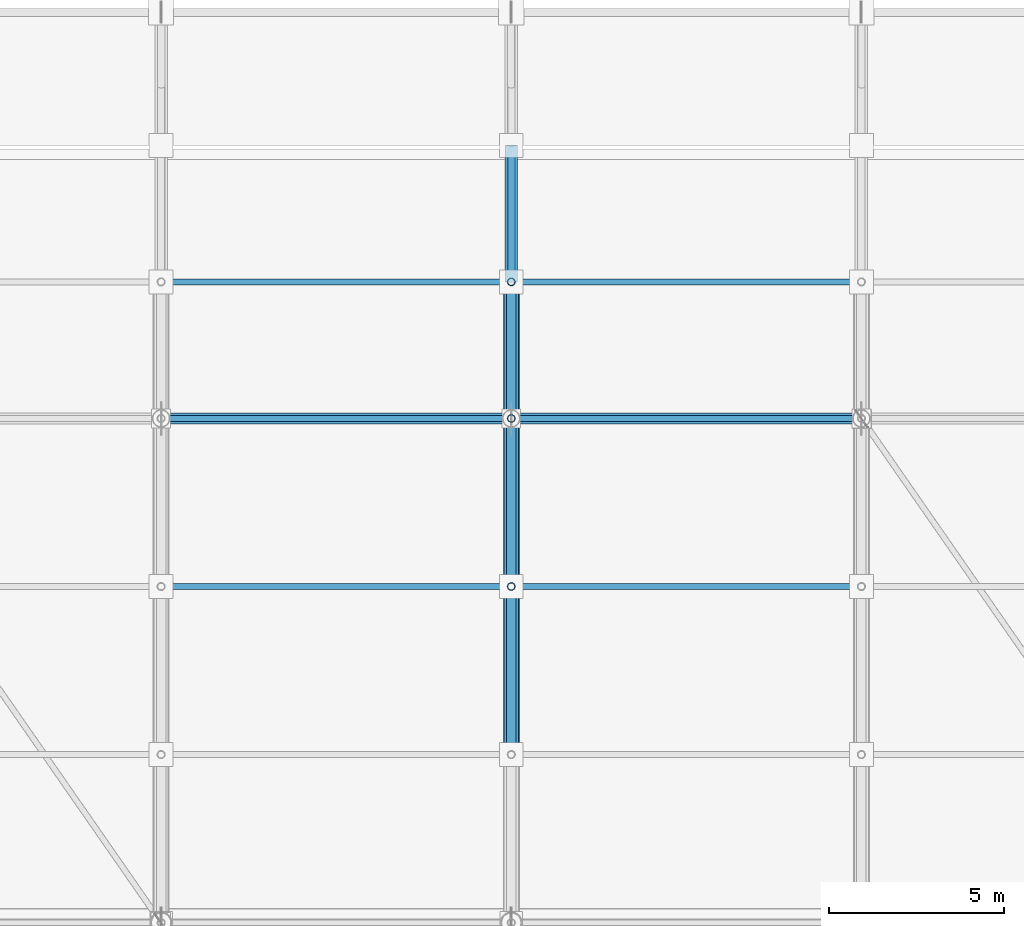
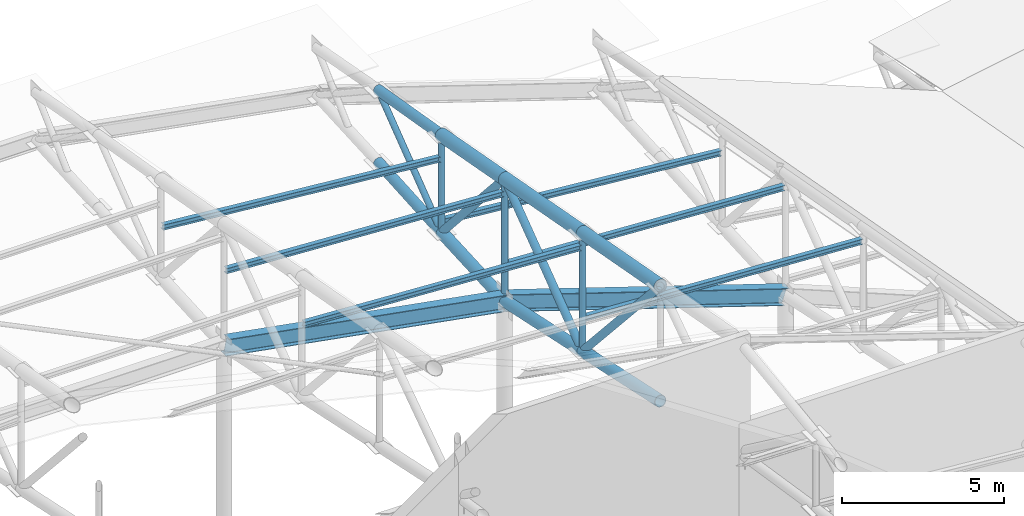
# One storey, part 35 of 146: 21 members, 2 beams.
"""IFC4 building model written with IfcOpenShell, lengths in metres."""

import ifcopenshell
import ifcopenshell.guid

model = None  # the IFC model being written
_history = None  # IfcOwnerHistory: only IFC2X3 demands one
_inside = {}  # id of a spatial element -> (the spatial element, [elements in it])
_under = {}  # id of a project, library or spatial element -> (it, [spatial elements below it])
_declared = {}  # id of a project -> (the project, [libraries it declares])
_typed = {}  # id of a type object -> (the type object, [elements of that type])
_made_of = {}  # id of a material, layer set ... -> (it, [elements and type objects made of it])


def new_model(schema):
    """Start an empty IFC model of exactly this schema.

    Asked for "IFC4X3", IfcOpenShell would pick the latest addendum, in which some entities
    have other attributes; the version numbers below select the first issue.
    IFC2X3 requires an IfcOwnerHistory on every rooted entity: one is made here for all.
    """
    global model, _history
    if schema == "IFC4X3":
        model = ifcopenshell.file(schema_version=(4, 3, 0, 0))
    else:
        model = ifcopenshell.file(schema=schema)
    _inside.clear()
    _under.clear()
    _declared.clear()
    _typed.clear()
    _made_of.clear()
    _history = None
    if model.schema == "IFC2X3":
        org = make("IfcOrganization", Name="unknown")
        user = make(
            "IfcPersonAndOrganization",
            ThePerson=make("IfcPerson", FamilyName="unknown"),
            TheOrganization=org,
        )
        app = make(
            "IfcApplication",
            ApplicationDeveloper=org,
            Version="unknown",
            ApplicationFullName="unknown",
            ApplicationIdentifier="unknown",
        )
        _history = make(
            "IfcOwnerHistory",
            OwningUser=user,
            OwningApplication=app,
            ChangeAction="ADDED",
            CreationDate=0,
        )
    return model


def make(cls, **values):
    """One entity of the class cls with the attributes given. An attribute that is None is left unset."""
    return model.create_entity(
        cls, **{name: value for name, value in values.items() if value is not None}
    )


def rooted(cls, **values):
    """An entity with a GlobalId (a new one), such as an element, a storey or a relation."""
    return make(cls, GlobalId=ifcopenshell.guid.new(), OwnerHistory=_history, **values)


def si_unit(unit_type, name, prefix=None):
    """IfcSIUnit, for example si_unit("LENGTHUNIT", "METRE", prefix="MILLI")."""
    return make("IfcSIUnit", UnitType=unit_type, Prefix=prefix, Name=name)


def assignment(units):
    """IfcUnitAssignment: the units of a project."""
    return None if units is None else make("IfcUnitAssignment", Units=units)


def point(xyz):
    """IfcCartesianPoint."""
    return None if xyz is None else make("IfcCartesianPoint", Coordinates=xyz)


def direction(xyz):
    """IfcDirection."""
    return None if xyz is None else make("IfcDirection", DirectionRatios=xyz)


def frame(location, z_axis=None, x_axis=None):
    """IfcAxis2Placement3D, a coordinate frame: its origin and axes. An axis left out is left unset."""
    return make(
        "IfcAxis2Placement3D",
        Location=point(location),
        Axis=direction(z_axis),
        RefDirection=direction(x_axis),
    )


def frame_2d(location, x_axis=None):
    """IfcAxis2Placement2D, a coordinate frame in the plane: its origin and x axis."""
    return make(
        "IfcAxis2Placement2D", Location=point(location), RefDirection=direction(x_axis)
    )


def origin():
    """The frame at (0, 0, 0) with its axes left unset."""
    return frame((0.0, 0.0, 0.0))


def origin_2d():
    """The frame at (0, 0) in the plane with its x axis left unset."""
    return frame_2d((0.0, 0.0))


def place(relative_to, where):
    """IfcLocalPlacement: puts the frame where relative to a parent placement (None: the world)."""
    return make(
        "IfcLocalPlacement", PlacementRelTo=relative_to, RelativePlacement=where
    )


def context(
    kind, dimensions, precision=None, world=None, true_north=None, identifier=None
):
    """IfcGeometricRepresentationContext, for example the 3D "Model" context."""
    return make(
        "IfcGeometricRepresentationContext",
        ContextIdentifier=identifier,
        ContextType=kind,
        CoordinateSpaceDimension=dimensions,
        Precision=precision,
        WorldCoordinateSystem=world,
        TrueNorth=true_north,
    )


def subcontext(parent, identifier, kind, view, scale=None):
    """IfcGeometricRepresentationSubContext, for example "Body" below "Model"."""
    return make(
        "IfcGeometricRepresentationSubContext",
        ContextIdentifier=identifier,
        ContextType=kind,
        ParentContext=parent,
        TargetScale=scale,
        TargetView=view,
    )


def project(units=None, contexts=None):
    """IfcProject with its units and contexts."""
    return rooted(
        "IfcProject",
        Name="project",
        RepresentationContexts=contexts,
        UnitsInContext=assignment(units),
    )


def spatial(cls, under=None, at=None, **own):
    """A site, building, storey or space (cls), placed at a placement, below another one or the project."""
    s = rooted(cls, ObjectPlacement=at, **own)
    if under is not None:
        _under.setdefault(under.id(), (under, []))[1].append(s)
    return s


def profile(cls, at=None, kind="AREA", **sizes):
    """A parametric profile (cls). Its sizes go by their IFC names, for example OverallWidth=200.0."""
    return make(cls, ProfileType=kind, Position=at, **sizes)


def hollow_circle(**sizes):
    """IfcCircleHollowProfileDef."""
    return profile("IfcCircleHollowProfileDef", **sizes)


def i_section(**sizes):
    """IfcIShapeProfileDef."""
    return profile("IfcIShapeProfileDef", **sizes)


def extrude(swept, where, along, depth):
    """IfcExtrudedAreaSolid: the profile swept, set in the frame where, extruded along a direction by depth."""
    return make(
        "IfcExtrudedAreaSolid",
        SweptArea=swept,
        Position=where,
        ExtrudedDirection=direction(along),
        Depth=depth,
    )


def shape(context_of_items, identifier, shape_type, items):
    """IfcShapeRepresentation: the items that make up one representation, for example the "Body"."""
    return make(
        "IfcShapeRepresentation",
        ContextOfItems=context_of_items,
        RepresentationIdentifier=identifier,
        RepresentationType=shape_type,
        Items=items,
    )


def material(Name=None, Category=None):
    """IfcMaterial."""
    return make("IfcMaterial", Name=Name, Category=Category)


def material_profile(
    of_material, cross_section, Name=None, Category=None, Priority=None
):
    """IfcMaterialProfile: a cross section and its material."""
    return make(
        "IfcMaterialProfile",
        Name=Name,
        Material=of_material,
        Profile=cross_section,
        Priority=Priority,
        Category=Category,
    )


def profile_set(profiles, Name=None, composite=None):
    """IfcMaterialProfileSet."""
    return make(
        "IfcMaterialProfileSet",
        Name=Name,
        MaterialProfiles=profiles,
        CompositeProfile=composite,
    )


def made_of(thing, what):
    """Note that an element or type object is made of a material, layer set ...; save() writes the relation."""
    if what is not None:
        _made_of.setdefault(what.id(), (what, []))[1].append(thing)
    return thing


def type_object(cls, material=None, **own):
    """A type object (cls), such as IfcWallType, which elements share."""
    return made_of(rooted(cls, **own), material)


def element(
    cls,
    number,
    at=None,
    inside=None,
    cuts=None,
    type_object=None,
    material=None,
    context=None,
    identifier="Body",
    shape_type=None,
    held_by="IfcProductDefinitionShape",
    body=None,
    shapes=None,
    **own,
):
    """One element of the class cls, such as IfcWall. Its Tag is "e" and its number.

    at: its placement. inside: the storey or other place that contains it. cuts: it is an
    opening in that element (IfcRelVoidsElement). A single representation is given by context,
    identifier, shape_type and body (its items); several are given by shapes. held_by: the class
    of the entity that holds the representations. save() writes the other relations.
    """
    e = rooted(cls, Tag="e%d" % number, ObjectPlacement=at, **own)
    if body is not None:
        shapes = [shape(context, identifier, shape_type, body)]
    if shapes is not None:
        e.Representation = make(held_by, Representations=shapes)
    if inside is not None:
        _inside.setdefault(inside.id(), (inside, []))[1].append(e)
    if cuts is not None:
        rooted(
            "IfcRelVoidsElement", RelatingBuildingElement=cuts, RelatedOpeningElement=e
        )
    if type_object is not None:
        _typed.setdefault(type_object.id(), (type_object, []))[1].append(e)
    return made_of(e, material)


def aggregate(whole, parts):
    """IfcRelAggregates: a whole, such as a stair, and the parts it consists of."""
    return rooted("IfcRelAggregates", RelatingObject=whole, RelatedObjects=parts)


def save(model, path):
    """Write the relations noted so far, then the file.

    IfcRelAggregates (storeys below a building ...), IfcRelContainedInSpatialStructure (elements
    in a storey), IfcRelDefinesByType, IfcRelAssociatesMaterial and IfcRelDeclares: one each for
    every whole, place, type object, material and project.
    """
    for whole, parts in _under.values():
        aggregate(whole, parts)
    for where, things in _inside.values():
        rooted(
            "IfcRelContainedInSpatialStructure",
            RelatedElements=things,
            RelatingStructure=where,
        )
    for kind, things in _typed.values():
        rooted("IfcRelDefinesByType", RelatedObjects=things, RelatingType=kind)
    for what, things in _made_of.values():
        rooted("IfcRelAssociatesMaterial", RelatedObjects=things, RelatingMaterial=what)
    for by, libraries in _declared.values():
        rooted("IfcRelDeclares", RelatingContext=by, RelatedDefinitions=libraries)
    model.write(path)


model = new_model("IFC4")

# Units and contexts
model_context = context("Model", 3, precision=1e-05, world=origin(), true_north=direction((0.0, 1.0)))
body_context = subcontext(model_context, "Body", "Model", "MODEL_VIEW")
ifc_project = project(units=[si_unit("LENGTHUNIT", "METRE"), si_unit("AREAUNIT", "SQUARE_METRE"), si_unit("VOLUMEUNIT", "CUBIC_METRE"), si_unit("PLANEANGLEUNIT", "RADIAN"), si_unit("MASSUNIT", "GRAM", prefix="KILO")], contexts=[model_context])

# Site, building, storey
site_placement = place(None, origin())
site = spatial("IfcSite", under=ifc_project, at=site_placement, CompositionType="ELEMENT")
building_placement = place(site_placement, origin())
building = spatial("IfcBuilding", under=site, at=building_placement, Name="Candeia Ridge Stadium", CompositionType="ELEMENT")
storey_placement = place(building_placement, frame((0.0, 0.0, 31.800048828125)))
storey = spatial("IfcBuildingStorey", under=building, at=storey_placement, Name="RF", CompositionType="ELEMENT", Elevation=31.800048828125)

# Beams
ifc_material = material(Name="Steel ASTM A572 Grade 50", Category="steel")
ifc_material_profile_1 = material_profile(ifc_material, i_section(OverallWidth=0.324951171875, OverallDepth=0.615966796875, WebThickness=0.013916015625, FlangeThickness=0.021484375, FilletRadius=0.014892578125, at=origin_2d()), Name="W610x174", Category="steel")
ifc_profile_set_1 = profile_set([ifc_material_profile_1], Name="Steel ASTM A572 Grade 50")
beam_type = type_object("IfcBeamType", Name="Roof Compression Ring Beam W610x174", PredefinedType="BEAM", material=ifc_profile_set_1)
beam_1_placement = place(storey_placement, frame((111.039306640625, 33.39990234375, 6.4931640625), z_axis=(0.983924099588, 0.0, -0.178587139095), x_axis=(0.0, 1.0, 0.0)))
element("IfcBeam", 1, at=beam_1_placement, inside=storey, type_object=beam_type, Name="Roof compression ring beam bay 23", PredefinedType="BEAM", context=body_context, shape_type="SweptSolid", body=[
    extrude(i_section(OverallWidth=0.324951171875, OverallDepth=0.615966796875, WebThickness=0.013916015625, FlangeThickness=0.021484375, FilletRadius=0.014892578125, at=origin_2d()), origin(), (0.0, 0.0, 1.0), 10.08349609375),
])
beam_2_placement = place(storey_placement, frame((121.0380859375, 33.39990234375, 4.672607421875), z_axis=(0.950459193957, 0.0, -0.310849353583), x_axis=(0.0, 1.0, 0.0)))
element("IfcBeam", 2, at=beam_2_placement, inside=storey, type_object=beam_type, Name="Roof compression ring beam bay 24", PredefinedType="BEAM", context=body_context, shape_type="SweptSolid", body=[
    extrude(i_section(OverallWidth=0.324951171875, OverallDepth=0.615966796875, WebThickness=0.013916015625, FlangeThickness=0.021484375, FilletRadius=0.014892578125, at=origin_2d()), origin(), (0.0, 0.0, 1.0), 10.441162109375),
])

# Members
ifc_material_profile_2 = material_profile(ifc_material, i_section(OverallWidth=0.1650390625, OverallDepth=0.200927734375, WebThickness=0.006103515625, FlangeThickness=0.01025390625, FilletRadius=0.010009765625, at=origin_2d()), Name="W200x35.9", Category="steel")
ifc_profile_set_2 = profile_set([ifc_material_profile_2], Name="Steel ASTM A572 Grade 50")
member_type_1 = type_object("IfcMemberType", Name="Roof Purlin W200x35.9", PredefinedType="PURLIN", material=ifc_profile_set_2)
member_1_placement = place(storey_placement, frame((111.0498046875, 37.300048828125, 8.59912109375), z_axis=(0.995975929729, 0.0, -0.08962113256), x_axis=(0.0, 1.0, 0.0)))
element("IfcMember", 3, at=member_1_placement, inside=storey, type_object=member_type_1, Name="Saddle roof steel purlin bay 23-1", PredefinedType="PURLIN", context=body_context, shape_type="SweptSolid", body=[
    extrude(i_section(OverallWidth=0.1650390625, OverallDepth=0.200927734375, WebThickness=0.006103515625, FlangeThickness=0.01025390625, FilletRadius=0.010009765625, at=origin_2d()), origin(), (0.0, 0.0, 1.0), 9.9404296875),
])
member_2_placement = place(storey_placement, frame((111.0498046875, 33.39990234375, 9.322265625), z_axis=(0.998436931594, 0.0, -0.055890013679), x_axis=(0.0, 1.0, 0.0)))
element("IfcMember", 4, at=member_2_placement, inside=storey, type_object=member_type_1, Name="Saddle roof steel purlin bay 23-2", PredefinedType="PURLIN", context=body_context, shape_type="SweptSolid", body=[
    extrude(i_section(OverallWidth=0.1650390625, OverallDepth=0.200927734375, WebThickness=0.006103515625, FlangeThickness=0.01025390625, FilletRadius=0.010009765625, at=origin_2d()), origin(), (0.0, 0.0, 1.0), 9.915771484375),
])
member_3_placement = place(storey_placement, frame((111.0498046875, 28.60009765625, 10.21044921875), z_axis=(0.998435557369, 0.0, -0.055914557871), x_axis=(0.0, 1.0, 0.0)))
element("IfcMember", 5, at=member_3_placement, inside=storey, type_object=member_type_1, Name="Saddle roof steel purlin bay 23-3", PredefinedType="PURLIN", context=body_context, shape_type="SweptSolid", body=[
    extrude(i_section(OverallWidth=0.1650390625, OverallDepth=0.200927734375, WebThickness=0.006103515625, FlangeThickness=0.01025390625, FilletRadius=0.010009765625, at=origin_2d()), origin(), (0.0, 0.0, 1.0), 9.916015625),
])
member_4_placement = place(storey_placement, frame((121.0498046875, 37.300048828125, 5.328369140625), z_axis=(0.995975929729, 0.0, -0.08962113256), x_axis=(0.0, 1.0, 0.0)))
element("IfcMember", 6, at=member_4_placement, inside=storey, type_object=member_type_1, Name="Saddle roof steel purlin bay 24-1", PredefinedType="PURLIN", context=body_context, shape_type="SweptSolid", body=[
    extrude(i_section(OverallWidth=0.1650390625, OverallDepth=0.200927734375, WebThickness=0.006103515625, FlangeThickness=0.01025390625, FilletRadius=0.010009765625, at=origin_2d()), origin(), (0.0, 0.0, 1.0), 9.9404296875),
])
for number, where, z_axis, x_axis, name in (
    (7, (121.0498046875, 33.39990234375, 6.0517578125), (0.998435557369, 0.0, -0.055914557871), (0.0, 1.0, 0.0), "Saddle roof steel purlin bay 24-2"),
    (8, (121.0498046875, 28.60009765625, 6.939697265625), (0.998435557369, 0.0, -0.055914557871), (0.0, 1.0, 0.0), "Saddle roof steel purlin bay 24-3"),
):
    element("IfcMember", number, at=place(storey_placement, frame(where, z_axis=z_axis, x_axis=x_axis)), inside=storey, type_object=member_type_1, Name=name, PredefinedType="PURLIN", context=body_context, shape_type="SweptSolid", body=[
        extrude(i_section(OverallWidth=0.1650390625, OverallDepth=0.200927734375, WebThickness=0.006103515625, FlangeThickness=0.01025390625, FilletRadius=0.010009765625, at=origin_2d()), origin(), (0.0, 0.0, 1.0), 9.916015625),
    ])
ifc_material_profile_3 = material_profile(ifc_material, hollow_circle(Radius=0.136474609375, WallThickness=0.010009765625, at=origin_2d()), Name="CHS273x10", Category="steel")
ifc_profile_set_3 = profile_set([ifc_material_profile_3], Name="Steel ASTM A572 Grade 50")
member_type_2 = type_object("IfcMemberType", Name="Roof Truss Heavy Web Brace CHS273x10", PredefinedType="BRACE", material=ifc_profile_set_3)
member_5_placement = place(storey_placement, frame((121.0, 37.300048828125, 4.905029296875), z_axis=(0.0, -0.665001791652, 0.746841761754), x_axis=(1.0, 0.0, 0.0)))
element("IfcMember", 9, at=member_5_placement, inside=storey, type_object=member_type_2, Name="Roof cantilever truss RT-24 diagonal web 3", PredefinedType="BRACE", context=body_context, shape_type="SweptSolid", body=[
    extrude(hollow_circle(Radius=0.136474609375, WallThickness=0.010009765625, at=origin_2d()), origin(), (0.0, 0.0, 1.0), 5.86474609375),
])
member_6_placement = place(storey_placement, frame((121.0, 33.39990234375, 9.28515625), z_axis=(0.0, -0.801699676117, -0.597727052519), x_axis=(1.0, 0.0, 0.0)))
element("IfcMember", 10, at=member_6_placement, inside=storey, type_object=member_type_2, Name="Roof cantilever truss RT-24 diagonal web 4", PredefinedType="BRACE", context=body_context, shape_type="SweptSolid", body=[
    extrude(hollow_circle(Radius=0.136474609375, WallThickness=0.010009765625, at=origin_2d()), origin(), (0.0, 0.0, 1.0), 5.987060546875),
])
member_7_placement = place(storey_placement, frame((121.0, 28.60009765625, 5.70654296875), z_axis=(0.0, -0.667504126232, 0.744606098191), x_axis=(1.0, 0.0, 0.0)))
element("IfcMember", 11, at=member_7_placement, inside=storey, type_object=member_type_2, Name="Roof cantilever truss RT-24 diagonal web 5", PredefinedType="BRACE", context=body_context, shape_type="SweptSolid", body=[
    extrude(hollow_circle(Radius=0.136474609375, WallThickness=0.010009765625, at=origin_2d()), origin(), (0.0, 0.0, 1.0), 7.19091796875),
])
ifc_material_profile_4 = material_profile(ifc_material, hollow_circle(Radius=0.109619140625, WallThickness=0.010009765625, at=origin_2d()), Name="CHS219x10", Category="steel")
ifc_profile_set_4 = profile_set([ifc_material_profile_4], Name="Steel ASTM A572 Grade 50")
member_type_3 = type_object("IfcMemberType", Name="Roof Truss Inner Web Brace CHS219x10", PredefinedType="BRACE", material=ifc_profile_set_4)
member_8_placement = place(storey_placement, frame((121.0, 41.199951171875, 7.89208984375), z_axis=(0.0, -0.793887844601, -0.608064215519), x_axis=(1.0, 0.0, 0.0)))
element("IfcMember", 12, at=member_8_placement, inside=storey, type_object=member_type_3, Name="Roof cantilever truss RT-24 diagonal web 2", PredefinedType="BRACE", context=body_context, shape_type="SweptSolid", body=[
    extrude(hollow_circle(Radius=0.109619140625, WallThickness=0.010009765625, at=origin_2d()), origin(), (0.0, 0.0, 1.0), 4.912353515625),
])
member_9_placement = place(storey_placement, frame((121.0, 37.300048828125, 4.905029296875), z_axis=(0.0, 0.0, 1.0), x_axis=(1.0, 0.0, 0.0)))
element("IfcMember", 13, at=member_9_placement, inside=storey, type_object=member_type_3, Name="Roof cantilever truss RT-24 vertical post 2", PredefinedType="BRACE", context=body_context, shape_type="SweptSolid", body=[
    extrude(hollow_circle(Radius=0.109619140625, WallThickness=0.010009765625, at=origin_2d()), origin(), (0.0, 0.0, 1.0), 3.65869140625),
])
member_10_placement = place(storey_placement, frame((121.0, 33.39990234375, 4.68505859375), z_axis=(0.0, 0.0, 1.0), x_axis=(1.0, 0.0, 0.0)))
element("IfcMember", 14, at=member_10_placement, inside=storey, type_object=member_type_3, Name="Roof cantilever truss RT-24 vertical post 3", PredefinedType="BRACE", context=body_context, shape_type="SweptSolid", body=[
    extrude(hollow_circle(Radius=0.109619140625, WallThickness=0.010009765625, at=origin_2d()), origin(), (0.0, 0.0, 1.0), 4.60009765625),
])
member_11_placement = place(storey_placement, frame((121.0, 28.60009765625, 5.70654296875), z_axis=(0.0, 0.0, 1.0), x_axis=(1.0, 0.0, 0.0)))
element("IfcMember", 15, at=member_11_placement, inside=storey, type_object=member_type_3, Name="Roof cantilever truss RT-24 vertical post 4", PredefinedType="BRACE", context=body_context, shape_type="SweptSolid", body=[
    extrude(hollow_circle(Radius=0.109619140625, WallThickness=0.010009765625, at=origin_2d()), origin(), (0.0, 0.0, 1.0), 4.466552734375),
])
ifc_material_profile_5 = material_profile(ifc_material, hollow_circle(Radius=0.228515625, WallThickness=0.02001953125, at=origin_2d()), Name="CHS457x20", Category="steel")
ifc_profile_set_5 = profile_set([ifc_material_profile_5], Name="Steel ASTM A572 Grade 50")
member_type_4 = type_object("IfcMemberType", Name="Roof Truss Main Chord CHS457x20", PredefinedType="CHORD", material=ifc_profile_set_5)
member_12_placement = place(storey_placement, frame((121.0, 37.300048828125, 8.563720703125), z_axis=(0.0, -0.983318721205, 0.181890880824), x_axis=(1.0, 0.0, 0.0)))
element("IfcMember", 16, at=member_12_placement, inside=storey, type_object=member_type_4, Name="Roof cantilever truss RT-24 top chord 3", PredefinedType="CHORD", context=body_context, shape_type="SweptSolid", body=[
    extrude(hollow_circle(Radius=0.228515625, WallThickness=0.02001953125, at=origin_2d()), origin(), (0.0, 0.0, 1.0), 3.96630859375),
])
member_13_placement = place(storey_placement, frame((121.0, 33.39990234375, 9.28515625), z_axis=(0.0, -0.983315487156, 0.181908363519), x_axis=(1.0, 0.0, 0.0)))
element("IfcMember", 17, at=member_13_placement, inside=storey, type_object=member_type_4, Name="Roof cantilever truss RT-24 top chord 4", PredefinedType="CHORD", context=body_context, shape_type="SweptSolid", body=[
    extrude(hollow_circle(Radius=0.228515625, WallThickness=0.02001953125, at=origin_2d()), origin(), (0.0, 0.0, 1.0), 4.88134765625),
])
member_14_placement = place(storey_placement, frame((121.0, 28.60009765625, 10.173095703125), z_axis=(0.0, -0.983317142098, 0.181899417416), x_axis=(1.0, 0.0, 0.0)))
element("IfcMember", 18, at=member_14_placement, inside=storey, type_object=member_type_4, Name="Roof cantilever truss RT-24 top chord 5", PredefinedType="CHORD", context=body_context, shape_type="SweptSolid", body=[
    extrude(hollow_circle(Radius=0.228515625, WallThickness=0.02001953125, at=origin_2d()), origin(), (0.0, 0.0, 1.0), 4.881591796875),
])
ifc_material_profile_6 = material_profile(ifc_material, hollow_circle(Radius=0.202880859375, WallThickness=0.01611328125, at=origin_2d()), Name="CHS406x16", Category="steel")
ifc_profile_set_6 = profile_set([ifc_material_profile_6], Name="Steel ASTM A572 Grade 50")
member_type_5 = type_object("IfcMemberType", Name="Roof Truss Outer Chord CHS406x16", PredefinedType="CHORD", material=ifc_profile_set_6)
member_15_placement = place(storey_placement, frame((121.0, 37.300048828125, 4.905029296875), z_axis=(0.0, -0.998413269272, -0.056311133372), x_axis=(1.0, 0.0, 0.0)))
element("IfcMember", 19, at=member_15_placement, inside=storey, type_object=member_type_5, Name="Roof cantilever truss RT-24 bottom chord 3", PredefinedType="CHORD", context=body_context, shape_type="SweptSolid", body=[
    extrude(hollow_circle(Radius=0.202880859375, WallThickness=0.01611328125, at=origin_2d()), origin(), (0.0, 0.0, 1.0), 3.90625),
])
member_16_placement = place(storey_placement, frame((121.0, 33.39990234375, 4.68505859375), z_axis=(0.0, -0.978095585526, 0.208156252789), x_axis=(1.0, 0.0, 0.0)))
element("IfcMember", 20, at=member_16_placement, inside=storey, type_object=member_type_5, Name="Roof cantilever truss RT-24 bottom chord 4", PredefinedType="CHORD", context=body_context, shape_type="SweptSolid", body=[
    extrude(hollow_circle(Radius=0.202880859375, WallThickness=0.01611328125, at=origin_2d()), origin(), (0.0, 0.0, 1.0), 4.9072265625),
])
member_17_placement = place(storey_placement, frame((121.0, 28.60009765625, 5.70654296875), z_axis=(0.0, -0.97810786804, 0.208098530696), x_axis=(1.0, 0.0, 0.0)))
element("IfcMember", 21, at=member_17_placement, inside=storey, type_object=member_type_5, Name="Roof cantilever truss RT-24 bottom chord 5", PredefinedType="CHORD", context=body_context, shape_type="SweptSolid", body=[
    extrude(hollow_circle(Radius=0.202880859375, WallThickness=0.01611328125, at=origin_2d()), origin(), (0.0, 0.0, 1.0), 4.907470703125),
])
ifc_material_profile_7 = material_profile(ifc_material, hollow_circle(Radius=0.177734375, WallThickness=0.01416015625, at=origin_2d()), Name="CHS355x14", Category="steel")
ifc_profile_set_7 = profile_set([ifc_material_profile_7], Name="Steel ASTM A572 Grade 50")
member_type_6 = type_object("IfcMemberType", Name="Roof Truss Tip Chord CHS355x14", PredefinedType="CHORD", material=ifc_profile_set_7)
member_18_placement = place(storey_placement, frame((121.0, 41.199951171875, 7.89208984375), z_axis=(0.0, -0.985492511851, 0.169718911988), x_axis=(1.0, 0.0, 0.0)))
element("IfcMember", 22, at=member_18_placement, inside=storey, type_object=member_type_6, Name="Roof cantilever truss RT-24 top chord 2", PredefinedType="CHORD", context=body_context, shape_type="SweptSolid", body=[
    extrude(hollow_circle(Radius=0.177734375, WallThickness=0.01416015625, at=origin_2d()), origin(), (0.0, 0.0, 1.0), 3.957275390625),
])
member_19_placement = place(storey_placement, frame((121.0, 41.199951171875, 5.175048828125), z_axis=(0.0, -0.997611667068, -0.069072148728), x_axis=(1.0, 0.0, 0.0)))
element("IfcMember", 23, at=member_19_placement, inside=storey, type_object=member_type_6, Name="Roof cantilever truss RT-24 bottom chord 2", PredefinedType="CHORD", context=body_context, shape_type="SweptSolid", body=[
    extrude(hollow_circle(Radius=0.177734375, WallThickness=0.01416015625, at=origin_2d()), origin(), (0.0, 0.0, 1.0), 3.9091796875),
])

save(model, "model.ifc")
